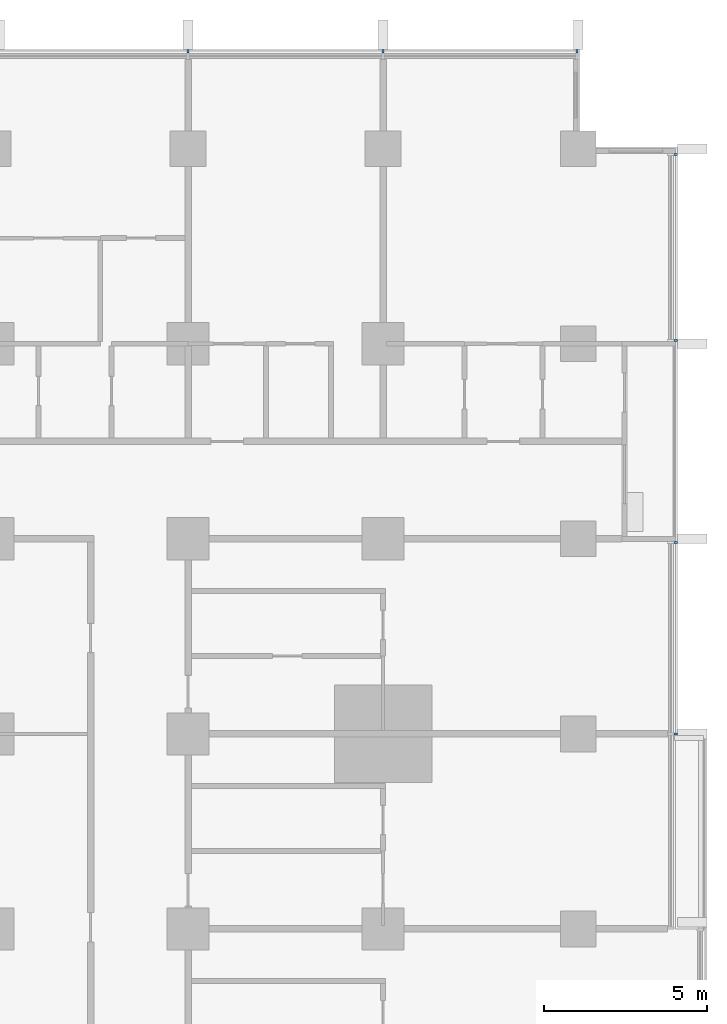
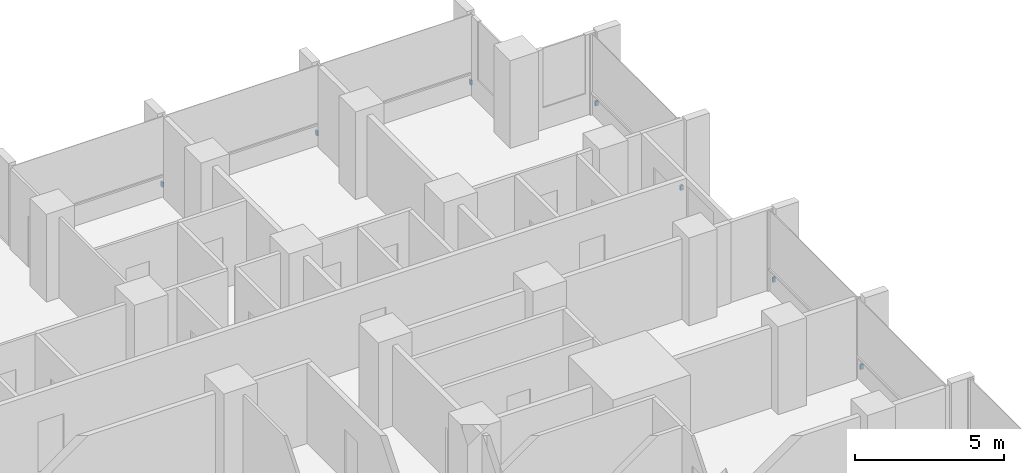
# One storey, part 17 of 18: 7 discrete accessories.
"""IFC4 building model written with IfcOpenShell, lengths in metres."""

from ifc_helpers import new_model, si_unit, direction, frame, origin, origin_2d, place, context, subcontext, project, spatial, rectangle, extrude, material, type_object, element, save


model = new_model("IFC4")

# Units and contexts
model_context = context("Model", 3, precision=1e-05, world=origin(), true_north=direction((0.0, 1.0)))
body_context = subcontext(model_context, "Body", "Model", "MODEL_VIEW")
ifc_project = project(units=[si_unit("LENGTHUNIT", "METRE"), si_unit("AREAUNIT", "SQUARE_METRE"), si_unit("VOLUMEUNIT", "CUBIC_METRE"), si_unit("PLANEANGLEUNIT", "RADIAN"), si_unit("MASSUNIT", "GRAM", prefix="KILO")], contexts=[model_context])

# Site, building, storey
site_placement = place(None, origin())
site = spatial("IfcSite", under=ifc_project, at=site_placement, CompositionType="ELEMENT")
building_placement = place(site_placement, origin())
building = spatial("IfcBuilding", under=site, at=building_placement, Name="Finial Court Residences", CompositionType="ELEMENT")
storey_placement = place(building_placement, frame((0.0, 0.0, 54.10009765625)))
storey = spatial("IfcBuildingStorey", under=building, at=storey_placement, Name="L12", CompositionType="ELEMENT", Elevation=54.10009765625)

# Discrete accessories
ifc_material = material(Name="Stainless steel 316", Category="steel")
discrete_accessory_type = type_object("IfcDiscreteAccessoryType", Name="Fin bracket, stainless steel 65 x 110 x 200", PredefinedType="BRACKET", material=ifc_material)
for number, where, z_axis, x_axis, name in (
    (1, (10.5, 28.5048828125, 0.2998046875), (0.0, 0.0, 1.0), (1.0, 0.0, 0.0), "E-L12-FIN-N6-BRK"),
    (2, (16.5, 28.5048828125, 0.2998046875), (0.0, 0.0, 1.0), (1.0, 0.0, 0.0), "E-L12-FIN-N7-BRK"),
    (3, (22.467529296875, 28.5048828125, 0.2998046875), (0.0, 0.0, 1.0), (1.0, 0.0, 0.0), "E-L12-FIN-N8-BRK"),
):
    element("IfcDiscreteAccessory", number, at=place(storey_placement, frame(where, z_axis=z_axis, x_axis=x_axis)), inside=storey, type_object=discrete_accessory_type, Name=name, PredefinedType="BRACKET", context=body_context, shape_type="SweptSolid", body=[
        extrude(rectangle(XDim=0.06494140625, YDim=0.110107421875, at=origin_2d()), origin(), (0.0, 0.0, 1.0), 0.199951171875),
    ])
for number, where, z_axis, x_axis, name in (
    (4, (25.5048828125, 7.5, 0.2998046875), (0.0, 0.0, 1.0), (1.0, 0.0, 0.0), "E-L12-FIN-E13-BRK"),
    (5, (25.5048828125, 13.392578125, 0.2998046875), (0.0, 0.0, 1.0), (1.0, 0.0, 0.0), "E-L12-FIN-E14-BRK"),
    (6, (25.5048828125, 19.607421875, 0.2998046875), (0.0, 0.0, 1.0), (1.0, 0.0, 0.0), "E-L12-FIN-E15-BRK"),
    (7, (25.5048828125, 25.3173828125, 0.2998046875), (0.0, 0.0, 1.0), (1.0, 0.0, 0.0), "E-L12-FIN-E16-BRK"),
):
    element("IfcDiscreteAccessory", number, at=place(storey_placement, frame(where, z_axis=z_axis, x_axis=x_axis)), inside=storey, type_object=discrete_accessory_type, Name=name, PredefinedType="BRACKET", context=body_context, shape_type="SweptSolid", body=[
        extrude(rectangle(XDim=0.110107421875, YDim=0.06494140625, at=origin_2d()), origin(), (0.0, 0.0, 1.0), 0.199951171875),
    ])

save(model, "model.ifc")
